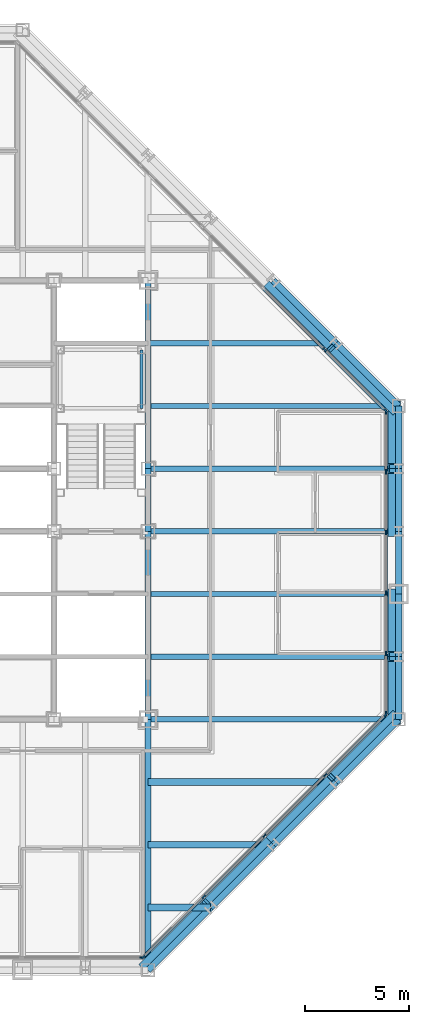
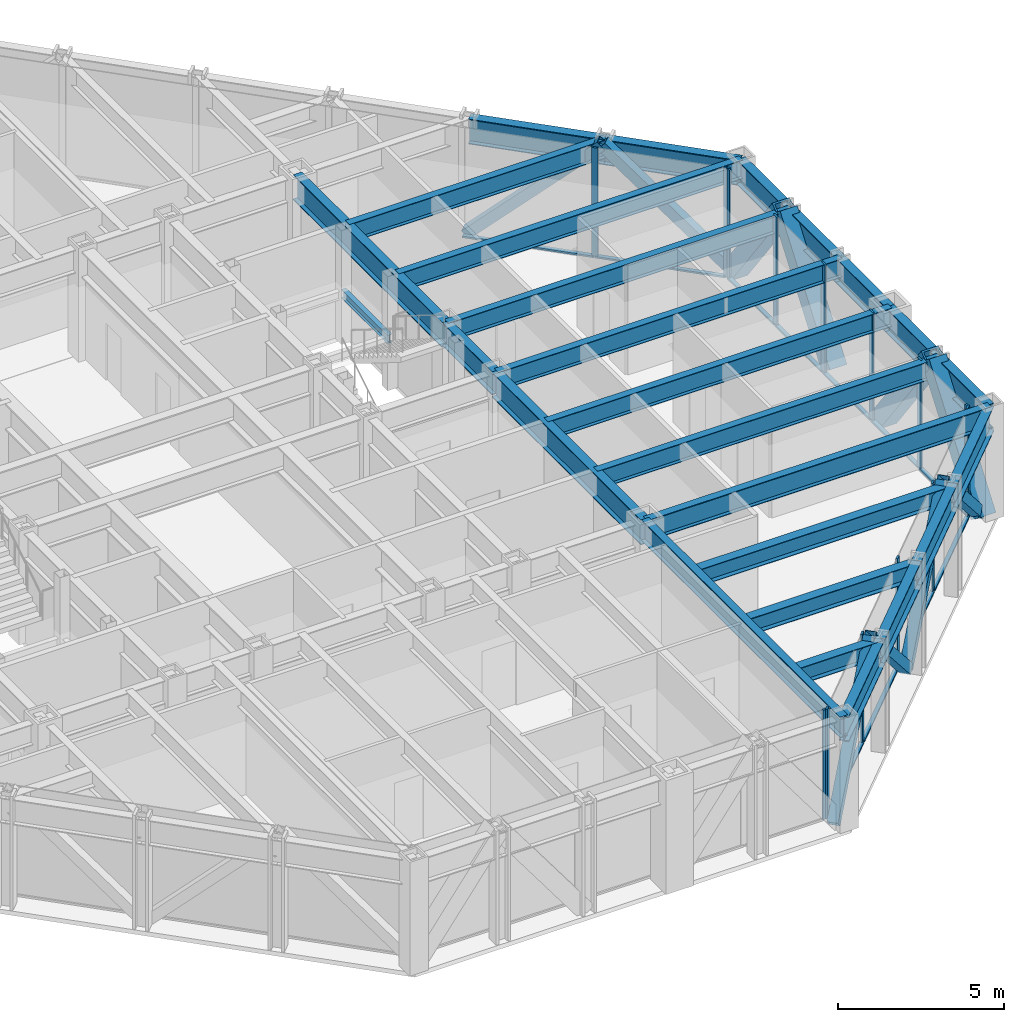
# One storey, part 7 of 16: 35 members, 26 beams, 4 elements without a shape of their own.
"""IFC4 building model written with IfcOpenShell, lengths in metres."""

from ifc_helpers import new_model, si_unit, direction, frame, origin, origin_2d, place, context, subcontext, project, spatial, rectangle, hollow_rectangle, i_section, extrude, material, layer, layer_set, material_profile, profile_set, type_object, element, aggregate, save


model = new_model("IFC4")

# Units and contexts
model_context = context("Model", 3, precision=1e-05, world=origin(), true_north=direction((0.0, 1.0)))
body_context = subcontext(model_context, "Body", "Model", "MODEL_VIEW")
ifc_project = project(units=[si_unit("LENGTHUNIT", "METRE"), si_unit("AREAUNIT", "SQUARE_METRE"), si_unit("VOLUMEUNIT", "CUBIC_METRE"), si_unit("PLANEANGLEUNIT", "RADIAN"), si_unit("MASSUNIT", "GRAM", prefix="KILO")], contexts=[model_context])

# Site, building, storey
site_placement = place(None, origin())
site = spatial("IfcSite", under=ifc_project, at=site_placement, CompositionType="ELEMENT")
building_placement = place(site_placement, origin())
building = spatial("IfcBuilding", under=site, at=building_placement, Name="Chuquiago Exchange Tower", CompositionType="ELEMENT")
storey_placement = place(building_placement, frame((0.0, 0.0, 205.5)))
storey = spatial("IfcBuildingStorey", under=building, at=storey_placement, Name="L45", CompositionType="ELEMENT", Elevation=205.5)

# Beams
ifc_material_1 = material(Name="Steel ASTM A992", Category="steel")
ifc_material_profile_1 = material_profile(ifc_material_1, i_section(OverallWidth=0.25390625, OverallDepth=0.683349609375, WebThickness=0.012451171875, FlangeThickness=0.018798828125, at=origin_2d()), Name="W27X94")
ifc_profile_set_1 = profile_set([ifc_material_profile_1], Name="Steel ASTM A992")
beam_type_1 = type_object("IfcBeamType", Name="B1 W27X94", PredefinedType="BEAM", material=ifc_profile_set_1)
for number, where, z_axis, x_axis, name in (
    (1, (33.0, 15.0, 3.698486328125), (1.0, 0.0, 0.0), (0.0, 1.0, 0.0), "FB-L46-infill-33_15-45_15-0"),
    (2, (33.0, 18.0, 3.698486328125), (1.0, 0.0, 0.0), (0.0, 1.0, 0.0), "FB-L46-infill-33_18-45_18-0"),
    (3, (33.0, 21.0, 3.698486328125), (1.0, 0.0, 0.0), (0.0, 1.0, 0.0), "FB-L46-infill-33_21-45_21-0"),
    (4, (33.0, 24.0, 3.698486328125), (1.0, 0.0, 0.0), (0.0, 1.0, 0.0), "FB-L46-infill-33_24-45_24-0"),
    (5, (33.0, 27.0, 3.698486328125), (1.0, 0.0, 0.0), (0.0, 1.0, 0.0), "FB-L46-infill-33_27-45_27-0"),
):
    element("IfcBeam", number, at=place(storey_placement, frame(where, z_axis=z_axis, x_axis=x_axis)), inside=storey, type_object=beam_type_1, Name=name, PredefinedType="BEAM", context=body_context, shape_type="SweptSolid", body=[
        extrude(i_section(OverallWidth=0.25390625, OverallDepth=0.683349609375, WebThickness=0.012451171875, FlangeThickness=0.018798828125, at=origin_2d()), origin(), (0.0, 0.0, 1.0), 12.0),
    ])
beam_1_placement = place(storey_placement, frame((33.0, 30.0, 3.698486328125), z_axis=(1.0, 0.0, 0.0), x_axis=(0.0, 1.0, 0.0)))
element("IfcBeam", 6, at=beam_1_placement, inside=storey, type_object=beam_type_1, Name="FB-L46-infill-33_30-42_30-0", PredefinedType="BEAM", context=body_context, shape_type="SweptSolid", body=[
    extrude(i_section(OverallWidth=0.25390625, OverallDepth=0.683349609375, WebThickness=0.012451171875, FlangeThickness=0.018798828125, at=origin_2d()), origin(), (0.0, 0.0, 1.0), 9.0),
])
ifc_material_2 = material(Name="Steel ASTM A992", Category="steel")
ifc_material_profile_2 = material_profile(ifc_material_2, i_section(OverallWidth=0.307373046875, OverallDepth=0.927001953125, WebThickness=0.01953125, FlangeThickness=0.031982421875, at=origin_2d()), Name="W36X194")
ifc_profile_set_2 = profile_set([ifc_material_profile_2], Name="Steel ASTM A992")
beam_type_2 = type_object("IfcBeamType", Name="B10 W36X194", PredefinedType="BEAM", material=ifc_profile_set_2)
for number, where, z_axis, x_axis, name in (
    (7, (33.0, 12.0, 3.576416015625), (0.0, 1.0, 0.0), (-1.0, 0.0, 0.0), "CB-L46-33_12-33_21"),
    (8, (33.0, 24.0, 3.576416015625), (0.0, 1.0, 0.0), (-1.0, 0.0, 0.0), "CB-L46-33_24-33_33"),
):
    element("IfcBeam", number, at=place(storey_placement, frame(where, z_axis=z_axis, x_axis=x_axis)), inside=storey, type_object=beam_type_2, Name=name, PredefinedType="BEAM", context=body_context, shape_type="SweptSolid", body=[
        extrude(i_section(OverallWidth=0.307373046875, OverallDepth=0.927001953125, WebThickness=0.01953125, FlangeThickness=0.031982421875, at=origin_2d()), origin(), (0.0, 0.0, 1.0), 9.0),
    ])
ifc_material_3 = material(Name="Steel ASTM A992", Category="steel")
ifc_material_profile_3 = material_profile(ifc_material_3, i_section(OverallWidth=0.3251953125, OverallDepth=0.612060546875, WebThickness=0.0126953125, FlangeThickness=0.01904296875, at=origin_2d()), Name="W24X104")
ifc_profile_set_3 = profile_set([ifc_material_profile_3], Name="Steel ASTM A992")
beam_type_3 = type_object("IfcBeamType", Name="B2 W24X104", PredefinedType="BEAM", material=ifc_profile_set_3)
beam_2_placement = place(storey_placement, frame((33.0, 3.0, 3.73388671875), z_axis=(1.0, 0.0, 0.0), x_axis=(0.0, 1.0, 0.0)))
element("IfcBeam", 9, at=beam_2_placement, inside=storey, type_object=beam_type_3, Name="FB-L46-corner-33_3-36_3-0", PredefinedType="BEAM", context=body_context, shape_type="SweptSolid", body=[
    extrude(i_section(OverallWidth=0.3251953125, OverallDepth=0.612060546875, WebThickness=0.0126953125, FlangeThickness=0.01904296875, at=origin_2d()), origin(), (0.0, 0.0, 1.0), 3.0),
])
beam_3_placement = place(storey_placement, frame((33.0, 6.0, 3.73388671875), z_axis=(1.0, 0.0, 0.0), x_axis=(0.0, 1.0, 0.0)))
element("IfcBeam", 10, at=beam_3_placement, inside=storey, type_object=beam_type_3, Name="FB-L46-corner-33_6-39_6-0", PredefinedType="BEAM", context=body_context, shape_type="SweptSolid", body=[
    extrude(i_section(OverallWidth=0.3251953125, OverallDepth=0.612060546875, WebThickness=0.0126953125, FlangeThickness=0.01904296875, at=origin_2d()), origin(), (0.0, 0.0, 1.0), 6.0),
])
beam_4_placement = place(storey_placement, frame((33.0, 9.0, 3.73388671875), z_axis=(1.0, 0.0, 0.0), x_axis=(0.0, 1.0, 0.0)))
element("IfcBeam", 11, at=beam_4_placement, inside=storey, type_object=beam_type_3, Name="FB-L46-corner-33_9-42_9-0", PredefinedType="BEAM", context=body_context, shape_type="SweptSolid", body=[
    extrude(i_section(OverallWidth=0.3251953125, OverallDepth=0.612060546875, WebThickness=0.0126953125, FlangeThickness=0.01904296875, at=origin_2d()), origin(), (0.0, 0.0, 1.0), 9.0),
])
ifc_material_4 = material(Name="Steel ASTM A992", Category="steel")
ifc_material_profile_4 = material_profile(ifc_material_4, i_section(OverallWidth=0.2919921875, OverallDepth=0.8583984375, WebThickness=0.01708984375, FlangeThickness=0.031005859375, at=origin_2d()), Name="W33X169")
ifc_profile_set_4 = profile_set([ifc_material_profile_4], Name="Steel ASTM A992")
beam_type_4 = type_object("IfcBeamType", Name="B3 W33X169", PredefinedType="BEAM", material=ifc_profile_set_4)
beam_5_placement = place(storey_placement, frame((33.0, 21.0, 3.610595703125), z_axis=(0.0, 1.0, 0.0), x_axis=(-1.0, 0.0, 0.0)))
element("IfcBeam", 12, at=beam_5_placement, inside=storey, type_object=beam_type_4, Name="CB-L46-33_21-33_24", PredefinedType="BEAM", context=body_context, shape_type="SweptSolid", body=[
    extrude(i_section(OverallWidth=0.2919921875, OverallDepth=0.8583984375, WebThickness=0.01708984375, FlangeThickness=0.031005859375, at=origin_2d()), origin(), (0.0, 0.0, 1.0), 3.0),
])

# Curtain wall, member
ifc_material_5 = material(Name="Aluminium curtain wall system", Category="aluminium")
ifc_layer_1 = layer(ifc_material_5, 0.22509765625)
ifc_layer_set_1 = layer_set([ifc_layer_1], Name="CW2 office curtain wall")
curtain_wall_type_1 = type_object("IfcCurtainWallType", Name="CW2 office curtain wall", PredefinedType="NOTDEFINED", material=ifc_layer_set_1)
curtain_wall_1_placement = place(storey_placement, origin())
curtain_wall_1 = element("IfcCurtainWall", 13, at=curtain_wall_1_placement, inside=storey, type_object=curtain_wall_type_1, Name="CW2 curtain wall L45", PredefinedType="NOTDEFINED")
ifc_material_6 = material(Name="Aluminium mullion, pale anodised", Category="aluminium")
ifc_material_profile_5 = material_profile(ifc_material_6, rectangle(XDim=0.06494140625, YDim=0.22509765625, at=origin_2d()), Name="AL 65x225")
ifc_profile_set_5 = profile_set([ifc_material_profile_5], Name="Aluminium mullion, pale anodised")
member_type_1 = type_object("IfcMemberType", Name="CW2-M mullion 65x225", PredefinedType="MULLION", material=ifc_profile_set_5)
member_1_placement = place(storey_placement, frame((32.718994140625, 0.60009765625, 0.0), z_axis=(0.0, 0.0, 1.0), x_axis=(0.0, 1.0, 0.0)))
member_1 = element("IfcMember", 14, at=member_1_placement, type_object=member_type_1, Name="CW2 mullion 6", PredefinedType="MULLION", context=body_context, shape_type="SweptSolid", body=[
    extrude(rectangle(XDim=0.06494140625, YDim=0.22509765625, at=origin_2d()), origin(), (0.0, 0.0, 1.0), 4.0400390625),
])
aggregate(curtain_wall_1, [member_1])

# Curtain wall, members
curtain_wall_2_placement = place(storey_placement, origin())
curtain_wall_2 = element("IfcCurtainWall", 15, at=curtain_wall_2_placement, inside=storey, type_object=curtain_wall_type_1, Name="CW2 curtain wall L45", PredefinedType="NOTDEFINED")
member_2_placement = place(storey_placement, frame((44.39990234375, 12.281005859375, 0.0), z_axis=(0.0, 0.0, 1.0), x_axis=(-1.0, 0.0, 0.0)))
member_2 = element("IfcMember", 16, at=member_2_placement, type_object=member_type_1, Name="CW2 mullion 1", PredefinedType="MULLION", context=body_context, shape_type="SweptSolid", body=[
    extrude(rectangle(XDim=0.06494140625, YDim=0.22509765625, at=origin_2d()), origin(), (0.0, 0.0, 1.0), 4.0400390625),
])
member_3_placement = place(storey_placement, frame((44.39990234375, 15.149169921875, 0.0), z_axis=(0.0, 0.0, 1.0), x_axis=(-1.0, 0.0, 0.0)))
member_3 = element("IfcMember", 17, at=member_3_placement, type_object=member_type_1, Name="CW2 mullion 2", PredefinedType="MULLION", context=body_context, shape_type="SweptSolid", body=[
    extrude(rectangle(XDim=0.06494140625, YDim=0.22509765625, at=origin_2d()), origin(), (0.0, 0.0, 1.0), 4.0400390625),
])
member_4_placement = place(storey_placement, frame((44.39990234375, 18.0498046875, 0.0), z_axis=(0.0, 0.0, 1.0), x_axis=(-1.0, 0.0, 0.0)))
member_4 = element("IfcMember", 18, at=member_4_placement, type_object=member_type_1, Name="CW2 mullion 3", PredefinedType="MULLION", context=body_context, shape_type="SweptSolid", body=[
    extrude(rectangle(XDim=0.06494140625, YDim=0.22509765625, at=origin_2d()), origin(), (0.0, 0.0, 1.0), 4.0400390625),
])
member_5_placement = place(storey_placement, frame((44.39990234375, 20.9501953125, 0.0), z_axis=(0.0, 0.0, 1.0), x_axis=(-1.0, 0.0, 0.0)))
member_5 = element("IfcMember", 19, at=member_5_placement, type_object=member_type_1, Name="CW2 mullion 4", PredefinedType="MULLION", context=body_context, shape_type="SweptSolid", body=[
    extrude(rectangle(XDim=0.06494140625, YDim=0.22509765625, at=origin_2d()), origin(), (0.0, 0.0, 1.0), 4.0400390625),
])
member_6_placement = place(storey_placement, frame((44.39990234375, 23.850830078125, 0.0), z_axis=(0.0, 0.0, 1.0), x_axis=(-1.0, 0.0, 0.0)))
member_6 = element("IfcMember", 20, at=member_6_placement, type_object=member_type_1, Name="CW2 mullion 5", PredefinedType="MULLION", context=body_context, shape_type="SweptSolid", body=[
    extrude(rectangle(XDim=0.06494140625, YDim=0.22509765625, at=origin_2d()), origin(), (0.0, 0.0, 1.0), 4.0400390625),
])
member_7_placement = place(storey_placement, frame((44.39990234375, 26.718994140625, 0.0), z_axis=(0.0, 0.0, 1.0), x_axis=(-1.0, 0.0, 0.0)))
member_7 = element("IfcMember", 21, at=member_7_placement, type_object=member_type_1, Name="CW2 mullion 6", PredefinedType="MULLION", context=body_context, shape_type="SweptSolid", body=[
    extrude(rectangle(XDim=0.06494140625, YDim=0.22509765625, at=origin_2d()), origin(), (0.0, 0.0, 1.0), 4.0400390625),
])
ifc_material_7 = material(Name="Aluminium transom, pale anodised", Category="aluminium")
ifc_material_profile_6 = material_profile(ifc_material_7, rectangle(XDim=0.139892578125, YDim=0.06494140625, at=origin_2d()), Name="AL 140x65")
ifc_profile_set_6 = profile_set([ifc_material_profile_6], Name="Aluminium transom, pale anodised")
member_type_2 = type_object("IfcMemberType", Name="CW2-T transom 65x140", PredefinedType="MULLION", material=ifc_profile_set_6)
member_8_placement = place(storey_placement, frame((44.39990234375, 12.3134765625, 0.032470703125), z_axis=(0.0, 1.0, 0.0), x_axis=(-1.0, 0.0, 0.0)))
member_8 = element("IfcMember", 22, at=member_8_placement, type_object=member_type_2, Name="CW2 transom 1.1", PredefinedType="MULLION", context=body_context, shape_type="SweptSolid", body=[
    extrude(rectangle(XDim=0.139892578125, YDim=0.06494140625, at=origin_2d()), origin(), (0.0, 0.0, 1.0), 2.80322265625),
])
member_9_placement = place(storey_placement, frame((44.39990234375, 15.181640625, 0.032470703125), z_axis=(0.0, 1.0, 0.0), x_axis=(-1.0, 0.0, 0.0)))
member_9 = element("IfcMember", 23, at=member_9_placement, type_object=member_type_2, Name="CW2 transom 2.1", PredefinedType="MULLION", context=body_context, shape_type="SweptSolid", body=[
    extrude(rectangle(XDim=0.139892578125, YDim=0.06494140625, at=origin_2d()), origin(), (0.0, 0.0, 1.0), 2.83544921875),
])
member_10_placement = place(storey_placement, frame((44.39990234375, 18.082275390625, 0.032470703125), z_axis=(0.0, 1.0, 0.0), x_axis=(-1.0, 0.0, 0.0)))
member_10 = element("IfcMember", 24, at=member_10_placement, type_object=member_type_2, Name="CW2 transom 3.1", PredefinedType="MULLION", context=body_context, shape_type="SweptSolid", body=[
    extrude(rectangle(XDim=0.139892578125, YDim=0.06494140625, at=origin_2d()), origin(), (0.0, 0.0, 1.0), 2.83544921875),
])
member_11_placement = place(storey_placement, frame((44.39990234375, 20.98291015625, 0.032470703125), z_axis=(0.0, 1.0, 0.0), x_axis=(-1.0, 0.0, 0.0)))
member_11 = element("IfcMember", 25, at=member_11_placement, type_object=member_type_2, Name="CW2 transom 4.1", PredefinedType="MULLION", context=body_context, shape_type="SweptSolid", body=[
    extrude(rectangle(XDim=0.139892578125, YDim=0.06494140625, at=origin_2d()), origin(), (0.0, 0.0, 1.0), 2.83544921875),
])
member_12_placement = place(storey_placement, frame((44.39990234375, 23.88330078125, 0.032470703125), z_axis=(0.0, 1.0, 0.0), x_axis=(-1.0, 0.0, 0.0)))
member_12 = element("IfcMember", 26, at=member_12_placement, type_object=member_type_2, Name="CW2 transom 5.1", PredefinedType="MULLION", context=body_context, shape_type="SweptSolid", body=[
    extrude(rectangle(XDim=0.139892578125, YDim=0.06494140625, at=origin_2d()), origin(), (0.0, 0.0, 1.0), 2.80322265625),
])
aggregate(curtain_wall_2, [member_2, member_3, member_4, member_5, member_6, member_7, member_8, member_9, member_10, member_11, member_12])

ifc_material_8 = material(Name="Aluminium curtain wall system", Category="aluminium")
ifc_layer_2 = layer(ifc_material_8, 0.199951171875)
ifc_layer_set_2 = layer_set([ifc_layer_2], Name="CW3 facet curtain wall")
curtain_wall_type_2 = type_object("IfcCurtainWallType", Name="CW3 facet curtain wall", PredefinedType="NOTDEFINED", material=ifc_layer_set_2)
curtain_wall_3_placement = place(storey_placement, origin())
curtain_wall_3 = element("IfcCurtainWall", 27, at=curtain_wall_3_placement, inside=storey, type_object=curtain_wall_type_2, Name="CW3 curtain wall L45", PredefinedType="NOTDEFINED")
ifc_material_9 = material(Name="Aluminium mullion, pale anodised", Category="aluminium")
ifc_material_profile_7 = material_profile(ifc_material_9, rectangle(XDim=0.06494140625, YDim=0.199951171875, at=origin_2d()), Name="AL 65x200")
ifc_profile_set_7 = profile_set([ifc_material_profile_7], Name="Aluminium mullion, pale anodised")
member_type_3 = type_object("IfcMemberType", Name="CW3-M mullion 65x200", PredefinedType="MULLION", material=ifc_profile_set_7)
member_13_placement = place(storey_placement, frame((32.7744140625, 0.623046875, 0.0), z_axis=(0.0, 0.0, 1.0), x_axis=(-0.707106781187, 0.707106781187, 0.0)))
member_13 = element("IfcMember", 28, at=member_13_placement, type_object=member_type_3, Name="CW3 mullion 1", PredefinedType="MULLION", context=body_context, shape_type="SweptSolid", body=[
    extrude(rectangle(XDim=0.06494140625, YDim=0.199951171875, at=origin_2d()), origin(), (0.0, 0.0, 1.0), 4.0400390625),
])
member_14_placement = place(storey_placement, frame((35.66357421875, 3.51220703125, 0.0), z_axis=(0.0, 0.0, 1.0), x_axis=(-0.707106781187, 0.707106781187, 0.0)))
member_14 = element("IfcMember", 29, at=member_14_placement, type_object=member_type_3, Name="CW3 mullion 2", PredefinedType="MULLION", context=body_context, shape_type="SweptSolid", body=[
    extrude(rectangle(XDim=0.06494140625, YDim=0.199951171875, at=origin_2d()), origin(), (0.0, 0.0, 1.0), 4.0400390625),
])
member_15_placement = place(storey_placement, frame((38.57568359375, 6.42431640625, 0.0), z_axis=(0.0, 0.0, 1.0), x_axis=(-0.707106781187, 0.707106781187, 0.0)))
member_15 = element("IfcMember", 30, at=member_15_placement, type_object=member_type_3, Name="CW3 mullion 3", PredefinedType="MULLION", context=body_context, shape_type="SweptSolid", body=[
    extrude(rectangle(XDim=0.06494140625, YDim=0.199951171875, at=origin_2d()), origin(), (0.0, 0.0, 1.0), 4.0400390625),
])
member_16_placement = place(storey_placement, frame((41.48779296875, 9.33642578125, 0.0), z_axis=(0.0, 0.0, 1.0), x_axis=(-0.707106781187, 0.707106781187, 0.0)))
member_16 = element("IfcMember", 31, at=member_16_placement, type_object=member_type_3, Name="CW3 mullion 4", PredefinedType="MULLION", context=body_context, shape_type="SweptSolid", body=[
    extrude(rectangle(XDim=0.06494140625, YDim=0.199951171875, at=origin_2d()), origin(), (0.0, 0.0, 1.0), 4.0400390625),
])
member_17_placement = place(storey_placement, frame((44.376953125, 12.2255859375, 0.0), z_axis=(0.0, 0.0, 1.0), x_axis=(-0.707106781187, 0.707106781187, 0.0)))
member_17 = element("IfcMember", 32, at=member_17_placement, type_object=member_type_3, Name="CW3 mullion 5", PredefinedType="MULLION", context=body_context, shape_type="SweptSolid", body=[
    extrude(rectangle(XDim=0.06494140625, YDim=0.199951171875, at=origin_2d()), origin(), (0.0, 0.0, 1.0), 4.0400390625),
])

curtain_wall_4_placement = place(storey_placement, origin())
curtain_wall_4 = element("IfcCurtainWall", 33, at=curtain_wall_4_placement, inside=storey, type_object=curtain_wall_type_2, Name="CW3 curtain wall L45", PredefinedType="NOTDEFINED")
member_18_placement = place(storey_placement, frame((44.376953125, 26.7744140625, 0.0), z_axis=(0.0, 0.0, 1.0), x_axis=(-0.707106781187, -0.707106781187, 0.0)))
member_18 = element("IfcMember", 34, at=member_18_placement, type_object=member_type_3, Name="CW3 mullion 1", PredefinedType="MULLION", context=body_context, shape_type="SweptSolid", body=[
    extrude(rectangle(XDim=0.06494140625, YDim=0.199951171875, at=origin_2d()), origin(), (0.0, 0.0, 1.0), 4.0400390625),
])
member_19_placement = place(storey_placement, frame((41.45849609375, 29.69287109375, 0.0), z_axis=(0.0, 0.0, 1.0), x_axis=(-0.707106781187, -0.707106781187, 0.0)))
member_19 = element("IfcMember", 35, at=member_19_placement, type_object=member_type_3, Name="CW3 mullion 2", PredefinedType="MULLION", context=body_context, shape_type="SweptSolid", body=[
    extrude(rectangle(XDim=0.06494140625, YDim=0.199951171875, at=origin_2d()), origin(), (0.0, 0.0, 1.0), 4.0400390625),
])

# Member
ifc_material_10 = material(Name="Aluminium transom, pale anodised", Category="aluminium")
ifc_material_profile_8 = material_profile(ifc_material_10, rectangle(XDim=0.139892578125, YDim=0.06494140625, at=origin_2d()), Name="AL 140x65")
ifc_profile_set_8 = profile_set([ifc_material_profile_8], Name="Aluminium transom, pale anodised")
member_type_4 = type_object("IfcMemberType", Name="CW3-T transom 65x140", PredefinedType="MULLION", material=ifc_profile_set_8)
member_20_placement = place(storey_placement, frame((32.79736328125, 0.64599609375, 0.032470703125), z_axis=(0.707106781187, 0.707106781187, 0.0), x_axis=(-0.707106781187, 0.707106781187, 0.0)))
member_20 = element("IfcMember", 36, at=member_20_placement, type_object=member_type_4, Name="CW3 transom 1.1", PredefinedType="MULLION", context=body_context, shape_type="SweptSolid", body=[
    extrude(rectangle(XDim=0.139892578125, YDim=0.06494140625, at=origin_2d()), origin(), (0.0, 0.0, 1.0), 4.02099609375),
])

member_21_placement = place(storey_placement, frame((35.6865234375, 3.53515625, 0.032470703125), z_axis=(0.707106781187, 0.707106781187, 0.0), x_axis=(-0.707106781187, 0.707106781187, 0.0)))
member_21 = element("IfcMember", 37, at=member_21_placement, type_object=member_type_4, Name="CW3 transom 2.1", PredefinedType="MULLION", context=body_context, shape_type="SweptSolid", body=[
    extrude(rectangle(XDim=0.139892578125, YDim=0.06494140625, at=origin_2d()), origin(), (0.0, 0.0, 1.0), 4.053466796875),
])

member_22_placement = place(storey_placement, frame((38.5986328125, 6.447265625, 0.032470703125), z_axis=(0.707106781187, 0.707106781187, 0.0), x_axis=(-0.707106781187, 0.707106781187, 0.0)))
member_22 = element("IfcMember", 38, at=member_22_placement, type_object=member_type_4, Name="CW3 transom 3.1", PredefinedType="MULLION", context=body_context, shape_type="SweptSolid", body=[
    extrude(rectangle(XDim=0.139892578125, YDim=0.06494140625, at=origin_2d()), origin(), (0.0, 0.0, 1.0), 4.053466796875),
])

member_23_placement = place(storey_placement, frame((41.5107421875, 9.359375, 0.032470703125), z_axis=(0.707106781187, 0.707106781187, 0.0), x_axis=(-0.707106781187, 0.707106781187, 0.0)))
member_23 = element("IfcMember", 39, at=member_23_placement, type_object=member_type_4, Name="CW3 transom 4.1", PredefinedType="MULLION", context=body_context, shape_type="SweptSolid", body=[
    extrude(rectangle(XDim=0.139892578125, YDim=0.06494140625, at=origin_2d()), origin(), (0.0, 0.0, 1.0), 4.02099609375),
])

aggregate(curtain_wall_3, [member_13, member_14, member_15, member_16, member_17, member_20, member_21, member_22, member_23])

member_24_placement = place(storey_placement, frame((44.35400390625, 26.79736328125, 0.032470703125), z_axis=(-0.707106781187, 0.707106781187, 0.0), x_axis=(-0.707106781187, -0.707106781187, 0.0)))
member_24 = element("IfcMember", 40, at=member_24_placement, type_object=member_type_4, Name="CW3 transom 1.1", PredefinedType="MULLION", context=body_context, shape_type="SweptSolid", body=[
    extrude(rectangle(XDim=0.139892578125, YDim=0.06494140625, at=origin_2d()), origin(), (0.0, 0.0, 1.0), 4.0625),
])

member_25_placement = place(storey_placement, frame((41.435546875, 29.7158203125, 0.032470703125), z_axis=(-0.707106781187, 0.707106781187, 0.0), x_axis=(-0.707106781187, -0.707106781187, 0.0)))
member_25 = element("IfcMember", 41, at=member_25_placement, type_object=member_type_4, Name="CW3 transom 2.1", PredefinedType="MULLION", context=body_context, shape_type="SweptSolid", body=[
    extrude(rectangle(XDim=0.139892578125, YDim=0.06494140625, at=origin_2d()), origin(), (0.0, 0.0, 1.0), 4.094970703125),
])

aggregate(curtain_wall_4, [member_18, member_19, member_24, member_25])

# Beams
ifc_material_11 = material(Name="Steel ASTM A992", Category="steel")
ifc_material_profile_9 = material_profile(ifc_material_11, i_section(OverallWidth=0.2666015625, OverallDepth=0.76953125, WebThickness=0.015625, FlangeThickness=0.025390625, at=origin_2d()), Name="W30X132")
ifc_profile_set_9 = profile_set([ifc_material_profile_9], Name="Steel ASTM A992")
beam_type_5 = type_object("IfcBeamType", Name="G1 W30X132", PredefinedType="BEAM", material=ifc_profile_set_9)
for number, where, z_axis, x_axis, name in (
    (42, (33.0, 12.0, 3.6552734375), (0.0, -1.0, 0.0), (1.0, 0.0, 0.0), "FB-L46-girder-33_12-33_-0-0"),
    (43, (33.0, 12.0, 3.6552734375), (1.0, 0.0, 0.0), (0.0, 1.0, 0.0), "FB-L46-girder-33_12-45_12-0"),
):
    element("IfcBeam", number, at=place(storey_placement, frame(where, z_axis=z_axis, x_axis=x_axis)), inside=storey, type_object=beam_type_5, Name=name, PredefinedType="BEAM", context=body_context, shape_type="SweptSolid", body=[
        extrude(i_section(OverallWidth=0.2666015625, OverallDepth=0.76953125, WebThickness=0.015625, FlangeThickness=0.025390625, at=origin_2d()), origin(), (0.0, 0.0, 1.0), 12.0),
    ])

# Members
ifc_material_12 = material(Name="Steel ASTM A500 Grade C", Category="steel")
ifc_material_profile_10 = material_profile(ifc_material_12, hollow_rectangle(XDim=0.355712890625, YDim=0.355712890625, WallThickness=0.0146484375, at=origin_2d()), Name="HSS14X14X5/8")
ifc_profile_set_10 = profile_set([ifc_material_profile_10], Name="Steel ASTM A500 Grade C")
member_type_5 = type_object("IfcMemberType", Name="LB2 HSS14X14X5/8", PredefinedType="BRACE", material=ifc_profile_set_10)
for number, where, z_axis, x_axis, name in (
    (44, (32.7685546875, 0.2314453125, 0.0), (0.512077265487, 0.512077265487, 0.689604051861), (-0.707106781187, 0.707106781187, 0.0), "LB-L45-33_0-36_3"),
    (45, (38.7685546875, 6.2314453125, 0.0), (-0.512077265487, -0.512077265487, 0.689604051861), (0.707106781187, -0.707106781187, 0.0), "LB-L45-36_3-39_6"),
    (46, (38.7685546875, 6.2314453125, 0.0), (0.512077265487, 0.512077265487, 0.689604051861), (-0.707106781187, 0.707106781187, 0.0), "LB-L45-39_6-42_9"),
    (47, (44.7685546875, 12.2314453125, 0.0), (-0.512077265487, -0.512077265487, 0.689604051861), (0.707106781187, -0.707106781187, 0.0), "LB-L45-42_9-45_12"),
    (48, (44.7685546875, 26.7685546875, 0.0), (-0.512077265487, 0.512077265487, 0.689604051861), (-0.707106781187, -0.707106781187, 0.0), "LB-L45-45_27-42_30"),
    (49, (38.7685546875, 32.7685546875, 0.0), (0.512077265487, -0.512077265487, 0.689604051861), (0.707106781187, 0.707106781187, 0.0), "LB-L45-42_30-39_33"),
):
    element("IfcMember", number, at=place(storey_placement, frame(where, z_axis=z_axis, x_axis=x_axis)), inside=storey, type_object=member_type_5, Name=name, PredefinedType="BRACE", context=body_context, shape_type="SweptSolid", body=[
        extrude(hollow_rectangle(XDim=0.355712890625, YDim=0.355712890625, WallThickness=0.0146484375, at=origin_2d()), origin(), (0.0, 0.0, 1.0), 5.8583984375),
    ])

# Beam
ifc_material_13 = material(Name="Steel ASTM A992", Category="steel")
ifc_material_profile_11 = material_profile(ifc_material_13, i_section(OverallWidth=0.164794921875, OverallDepth=0.309814453125, WebThickness=0.005859375, FlangeThickness=0.009765625, at=origin_2d()), Name="W12X26")
ifc_profile_set_11 = profile_set([ifc_material_profile_11], Name="Steel ASTM A992")
beam_type_6 = type_object("IfcBeamType", Name="LS1 W12X26", PredefinedType="BEAM", material=ifc_profile_set_11)
beam_6_placement = place(storey_placement, frame((32.68994140625, 26.889892578125, 1.7451171875), z_axis=(0.0, 1.0, 0.0), x_axis=(-1.0, 0.0, 0.0)))
element("IfcBeam", 50, at=beam_6_placement, inside=storey, type_object=beam_type_6, Name="Stair ST2 L45 landing 1 stringer", PredefinedType="BEAM", context=body_context, shape_type="SweptSolid", body=[
    extrude(i_section(OverallWidth=0.164794921875, OverallDepth=0.309814453125, WebThickness=0.005859375, FlangeThickness=0.009765625, at=origin_2d()), origin(), (0.0, 0.0, 1.0), 2.800048828125),
])

# Members
ifc_material_14 = material(Name="Steel ASTM A572 Grade 50", Category="steel")
ifc_material_profile_12 = material_profile(ifc_material_14, hollow_rectangle(XDim=0.60009765625, YDim=0.60009765625, WallThickness=0.06005859375, at=origin_2d()), Name="BOX600X600X60")
ifc_profile_set_12 = profile_set([ifc_material_profile_12], Name="Steel ASTM A572 Grade 50")
member_type_6 = type_object("IfcMemberType", Name="MB3 BOX600X600X60", PredefinedType="BRACE", material=ifc_profile_set_12)
for number, where, z_axis, x_axis, name in (
    (51, (44.794921875, 12.0, 0.0), (0.0, 0.596173923302, 0.802855312728), (-1.0, 0.0, 0.0), "Mega diagonal L45 E face"),
    (52, (44.794921875, 18.0, 0.0), (0.0, -0.596173923302, 0.802855312728), (1.0, 0.0, 0.0), "Mega diagonal L45 E face"),
    (53, (44.794921875, 21.0, 0.0), (0.0, 0.596173923302, 0.802855312728), (-1.0, 0.0, 0.0), "Mega diagonal L45 E face"),
    (54, (44.794921875, 27.0, 0.0), (0.0, -0.596173923302, 0.802855312728), (1.0, 0.0, 0.0), "Mega diagonal L45 E face"),
):
    element("IfcMember", number, at=place(storey_placement, frame(where, z_axis=z_axis, x_axis=x_axis)), inside=storey, type_object=member_type_6, Name=name, PredefinedType="BRACE", context=body_context, shape_type="SweptSolid", body=[
        extrude(hollow_rectangle(XDim=0.60009765625, YDim=0.60009765625, WallThickness=0.06005859375, at=origin_2d()), origin(), (0.0, 0.0, 1.0), 5.031982421875),
    ])

# Beams
ifc_material_15 = material(Name="Steel ASTM A992", Category="steel")
ifc_material_profile_13 = material_profile(ifc_material_15, i_section(OverallWidth=0.307373046875, OverallDepth=0.927001953125, WebThickness=0.01953125, FlangeThickness=0.031982421875, at=origin_2d()), Name="W36X194")
ifc_profile_set_13 = profile_set([ifc_material_profile_13], Name="Steel ASTM A992")
beam_type_7 = type_object("IfcBeamType", Name="SP3 W36X194", PredefinedType="SPANDREL", material=ifc_profile_set_13)
for number, where, z_axis, x_axis, name in (
    (55, (33.0, 0.0, 3.576416015625), (0.707106781187, 0.707106781187, 0.0), (-0.707106781187, 0.707106781187, 0.0), "SPB-L46-33_0-36_3"),
    (56, (36.0, 3.0, 3.576416015625), (0.707106781187, 0.707106781187, 0.0), (-0.707106781187, 0.707106781187, 0.0), "SPB-L46-36_3-39_6"),
    (57, (39.0, 6.0, 3.576416015625), (0.707106781187, 0.707106781187, 0.0), (-0.707106781187, 0.707106781187, 0.0), "SPB-L46-39_6-42_9"),
    (58, (42.0, 9.0, 3.576416015625), (0.707106781187, 0.707106781187, 0.0), (-0.707106781187, 0.707106781187, 0.0), "SPB-L46-42_9-45_12"),
):
    element("IfcBeam", number, at=place(storey_placement, frame(where, z_axis=z_axis, x_axis=x_axis)), inside=storey, type_object=beam_type_7, Name=name, PredefinedType="SPANDREL", context=body_context, shape_type="SweptSolid", body=[
        extrude(i_section(OverallWidth=0.307373046875, OverallDepth=0.927001953125, WebThickness=0.01953125, FlangeThickness=0.031982421875, at=origin_2d()), origin(), (0.0, 0.0, 1.0), 4.24267578125),
    ])
for number, where, z_axis, x_axis, name in (
    (59, (45.0, 12.0, 3.576416015625), (0.0, 1.0, 0.0), (-1.0, 0.0, 0.0), "SPB-L46-45_12-45_15"),
    (60, (45.0, 15.0, 3.576416015625), (0.0, 1.0, 0.0), (-1.0, 0.0, 0.0), "SPB-L46-45_15-45_18"),
    (61, (45.0, 18.0, 3.576416015625), (0.0, 1.0, 0.0), (-1.0, 0.0, 0.0), "SPB-L46-45_18-45_21"),
    (62, (45.0, 21.0, 3.576416015625), (0.0, 1.0, 0.0), (-1.0, 0.0, 0.0), "SPB-L46-45_21-45_24"),
    (63, (45.0, 24.0, 3.576416015625), (0.0, 1.0, 0.0), (-1.0, 0.0, 0.0), "SPB-L46-45_24-45_27"),
):
    element("IfcBeam", number, at=place(storey_placement, frame(where, z_axis=z_axis, x_axis=x_axis)), inside=storey, type_object=beam_type_7, Name=name, PredefinedType="SPANDREL", context=body_context, shape_type="SweptSolid", body=[
        extrude(i_section(OverallWidth=0.307373046875, OverallDepth=0.927001953125, WebThickness=0.01953125, FlangeThickness=0.031982421875, at=origin_2d()), origin(), (0.0, 0.0, 1.0), 3.0),
    ])
for number, where, z_axis, x_axis, name in (
    (64, (45.0, 27.0, 3.576416015625), (-0.707106781187, 0.707106781187, 0.0), (-0.707106781187, -0.707106781187, 0.0), "SPB-L46-45_27-42_30"),
    (65, (42.0, 30.0, 3.576416015625), (-0.707106781187, 0.707106781187, 0.0), (-0.707106781187, -0.707106781187, 0.0), "SPB-L46-42_30-39_33"),
):
    element("IfcBeam", number, at=place(storey_placement, frame(where, z_axis=z_axis, x_axis=x_axis)), inside=storey, type_object=beam_type_7, Name=name, PredefinedType="SPANDREL", context=body_context, shape_type="SweptSolid", body=[
        extrude(i_section(OverallWidth=0.307373046875, OverallDepth=0.927001953125, WebThickness=0.01953125, FlangeThickness=0.031982421875, at=origin_2d()), origin(), (0.0, 0.0, 1.0), 4.24267578125),
    ])

save(model, "model.ifc")
